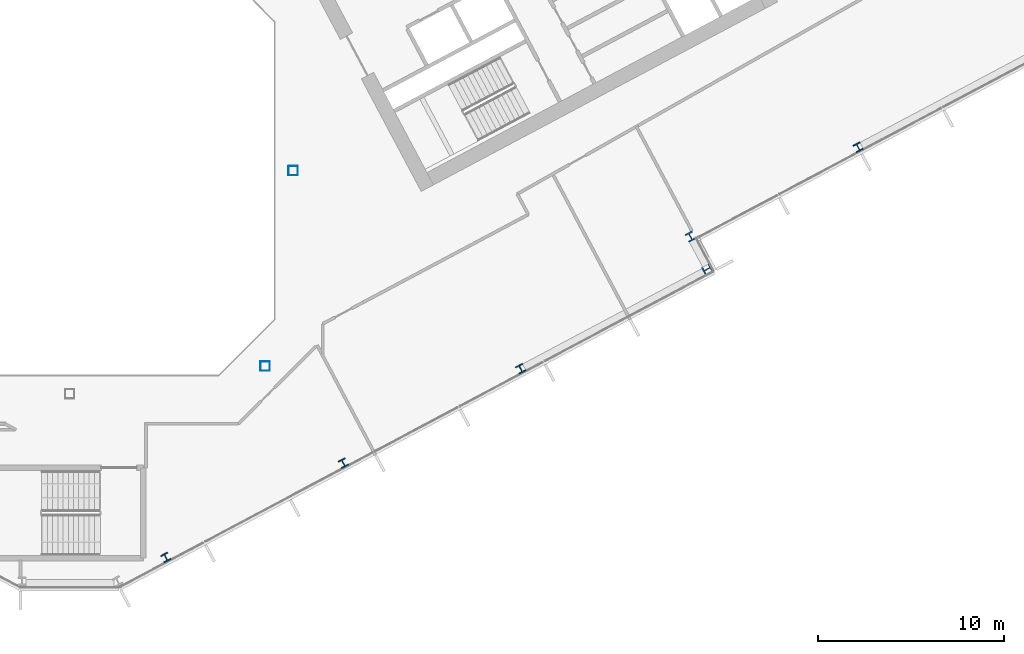
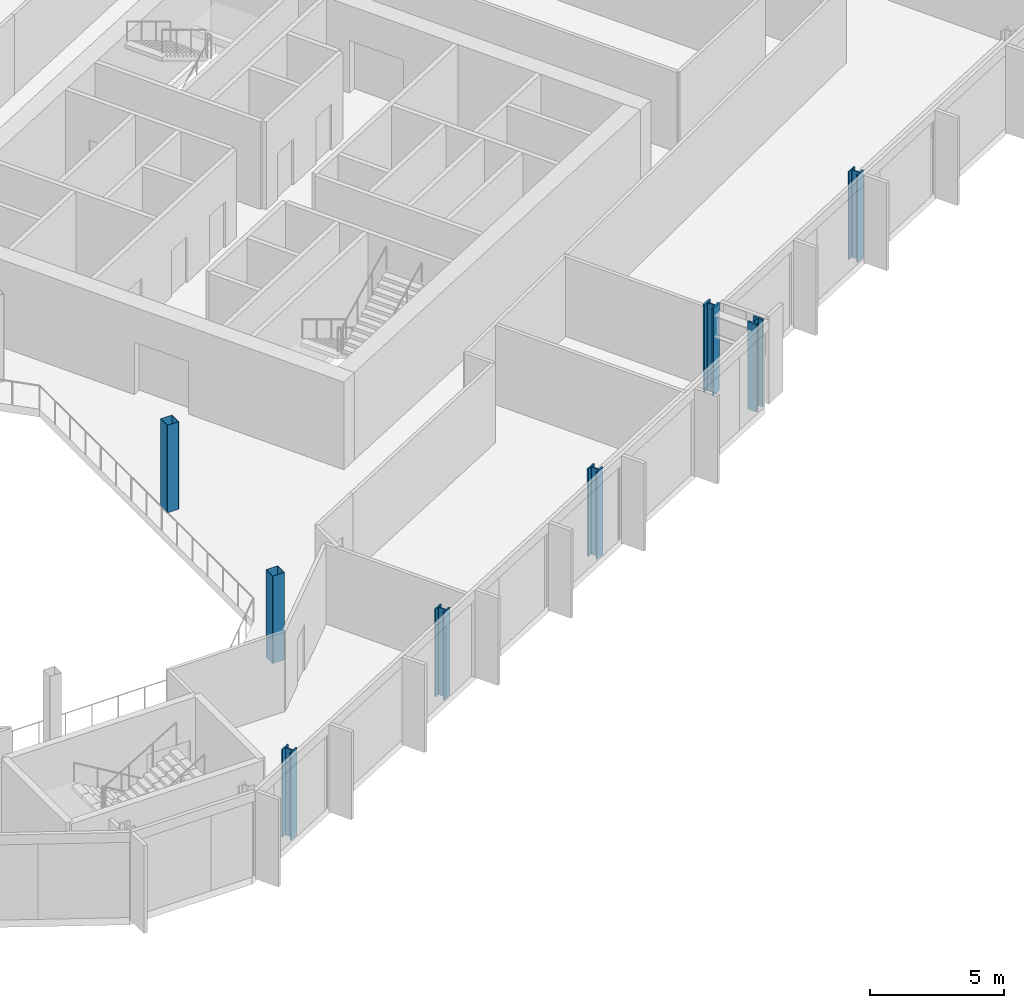
# One storey, part 5 of 28: 8 columns.
"""IFC4 building model written with IfcOpenShell, lengths in metres."""

from ifc_helpers import new_model, si_unit, direction, frame, origin, origin_2d, place, context, subcontext, project, spatial, hollow_rectangle, i_section, extrude, material, material_profile, profile_set, type_object, element, save


model = new_model("IFC4")

# Units and contexts
model_context = context("Model", 3, precision=1e-05, world=origin(), true_north=direction((0.0, 1.0)))
body_context = subcontext(model_context, "Body", "Model", "MODEL_VIEW")
ifc_project = project(units=[si_unit("LENGTHUNIT", "METRE"), si_unit("AREAUNIT", "SQUARE_METRE"), si_unit("VOLUMEUNIT", "CUBIC_METRE"), si_unit("PLANEANGLEUNIT", "RADIAN"), si_unit("MASSUNIT", "GRAM", prefix="KILO")], contexts=[model_context])

# Site, building, storey
site_placement = place(None, origin())
site = spatial("IfcSite", under=ifc_project, at=site_placement, CompositionType="ELEMENT")
building_placement = place(site_placement, origin())
building = spatial("IfcBuilding", under=site, at=building_placement, Name="Cormorant Relay Tower", CompositionType="ELEMENT")
storey_placement = place(building_placement, frame((0.0, 0.0, 150.199951171875)))
storey = spatial("IfcBuildingStorey", under=building, at=storey_placement, Name="L31", CompositionType="ELEMENT", Elevation=150.199951171875)

# Columns
ifc_material_1 = material(Name="Steel ASTM A500 Grade C (Fy 345 MPa)", Category="steel")
ifc_material_profile_1 = material_profile(ifc_material_1, hollow_rectangle(XDim=0.508056640625, YDim=0.508056640625, WallThickness=0.01171875, InnerFilletRadius=0.005859375, OuterFilletRadius=0.017822265625, at=origin_2d()), Name="HSS508x508x12")
ifc_profile_set_1 = profile_set([ifc_material_profile_1], Name="Steel ASTM A500 Grade C (Fy 345 MPa)")
column_type_1 = type_object("IfcColumnType", Name="Column HSS508x508x12", PredefinedType="COLUMN", material=ifc_profile_set_1)
for number, where, z_axis, x_axis, name in (
    (1, (10.5, -10.5, 0.0), (0.0, 0.0, 1.0), (1.0, 0.0, 0.0), "Column L31-010"),
    (2, (12.0, 0.0, 0.0), (0.0, 0.0, 1.0), (1.0, 0.0, 0.0), "Column L31-016"),
):
    element("IfcColumn", number, at=place(storey_placement, frame(where, z_axis=z_axis, x_axis=x_axis)), inside=storey, type_object=column_type_1, Name=name, PredefinedType="COLUMN", context=body_context, shape_type="SweptSolid", body=[
        extrude(hollow_rectangle(XDim=0.508056640625, YDim=0.508056640625, WallThickness=0.01171875, InnerFilletRadius=0.005859375, OuterFilletRadius=0.017822265625, at=origin_2d()), origin(), (0.0, 0.0, 1.0), 4.0),
    ])
ifc_material_2 = material(Name="Steel ASTM A992 (Fy 345 MPa)", Category="steel")
ifc_material_profile_2 = material_profile(ifc_material_2, i_section(OverallWidth=0.41162109375, OverallDepth=0.434326171875, WebThickness=0.035888671875, FlangeThickness=0.057373046875, FilletRadius=0.01513671875, at=origin_2d()), Name="W360x463")
ifc_profile_set_2 = profile_set([ifc_material_profile_2], Name="Steel ASTM A992 (Fy 345 MPa)")
column_type_2 = type_object("IfcColumnType", Name="Column W360x463", PredefinedType="COLUMN", material=ifc_profile_set_2)
for number, where, z_axis, x_axis, name in (
    (3, (5.1640625, -20.7890625, 0.0), (0.0, 0.0, 1.0), (0.882947592859, 0.469471562786, 0.0), "Column L31-003"),
    (4, (14.699951171875, -15.718994140625, 0.0), (0.0, 0.0, 1.0), (0.882947592859, 0.469471562786, 0.0), "Column L31-005"),
    (5, (24.236083984375, -10.64794921875, 0.0), (0.0, 0.0, 1.0), (0.882947592859, 0.469471562786, 0.0), "Column L31-008"),
    (6, (42.368896484375, 1.258056640625, 0.0), (0.0, 0.0, 1.0), (0.882947592859, 0.469471562786, 0.0), "Column L31-017"),
):
    element("IfcColumn", number, at=place(storey_placement, frame(where, z_axis=z_axis, x_axis=x_axis)), inside=storey, type_object=column_type_2, Name=name, PredefinedType="COLUMN", context=body_context, shape_type="SweptSolid", body=[
        extrude(i_section(OverallWidth=0.41162109375, OverallDepth=0.434326171875, WebThickness=0.035888671875, FlangeThickness=0.057373046875, FilletRadius=0.01513671875, at=origin_2d()), origin(), (0.0, 0.0, 1.0), 4.0),
    ])
ifc_material_3 = material(Name="Steel ASTM A992 (Fy 345 MPa)", Category="steel")
ifc_material_profile_3 = material_profile(ifc_material_3, i_section(OverallWidth=0.42431640625, OverallDepth=0.47509765625, WebThickness=0.0478515625, FlangeThickness=0.0771484375, FilletRadius=0.014892578125, at=origin_2d()), Name="W360x634")
ifc_profile_set_3 = profile_set([ifc_material_profile_3], Name="Steel ASTM A992 (Fy 345 MPa)")
column_type_3 = type_object("IfcColumnType", Name="Column W360x634", PredefinedType="COLUMN", material=ifc_profile_set_3)
for number, where, z_axis, x_axis, name in (
    (7, (34.256103515625, -5.297119140625, 0.0), (0.0, 0.0, 1.0), (-0.469471562786, 0.882947592859, 0.0), "Column L31-012"),
    (8, (33.35595703125, -3.54296875, 0.0), (0.0, 0.0, 1.0), (0.882947592859, 0.469471562786, 0.0), "Column L31-014"),
):
    element("IfcColumn", number, at=place(storey_placement, frame(where, z_axis=z_axis, x_axis=x_axis)), inside=storey, type_object=column_type_3, Name=name, PredefinedType="COLUMN", context=body_context, shape_type="SweptSolid", body=[
        extrude(i_section(OverallWidth=0.42431640625, OverallDepth=0.47509765625, WebThickness=0.0478515625, FlangeThickness=0.0771484375, FilletRadius=0.014892578125, at=origin_2d()), origin(), (0.0, 0.0, 1.0), 4.0),
    ])

save(model, "model.ifc")
